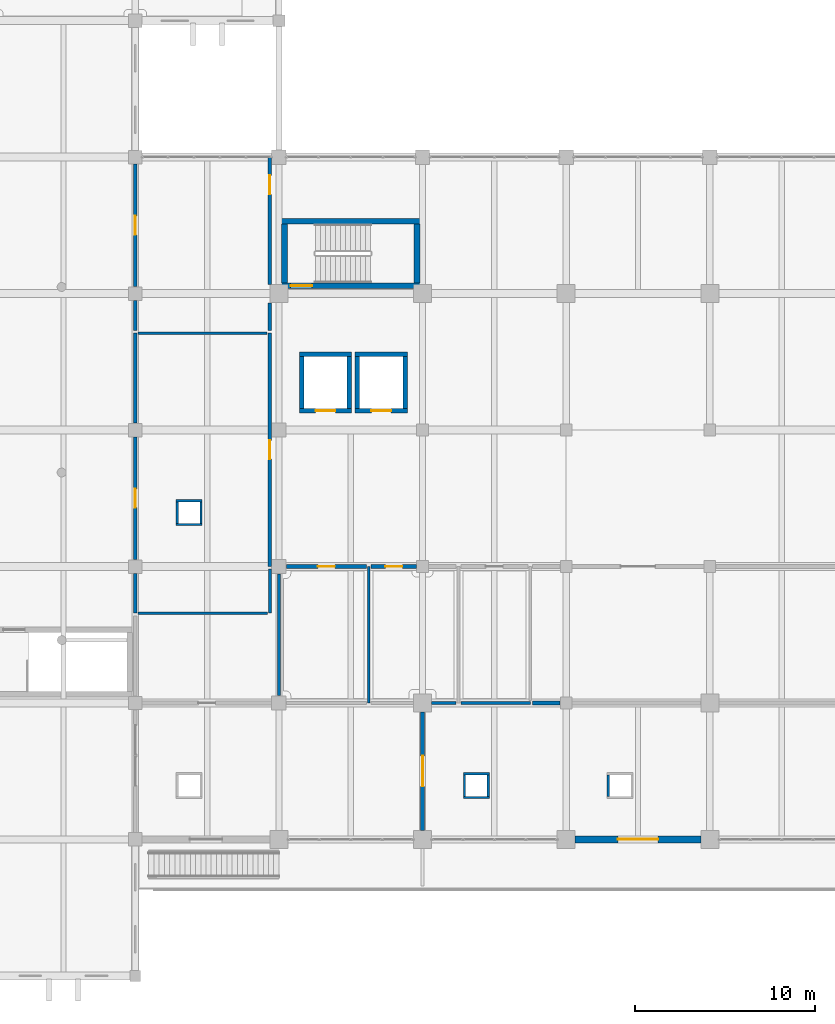
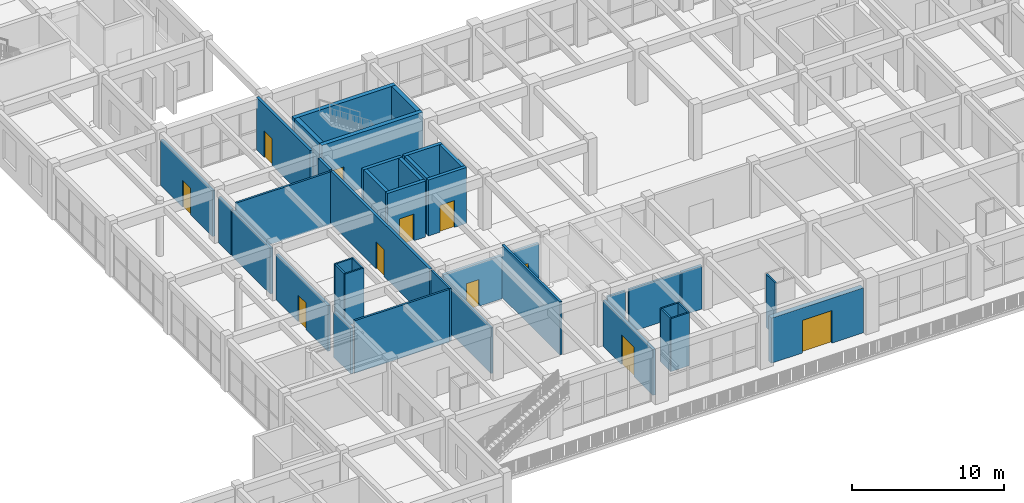
# One storey, part 54 of 79: 41 walls, 11 doors, 11 openings.
"""IFC4 building model written with IfcOpenShell, lengths in metres."""

from ifc_helpers import new_model, si_unit, direction, frame, frame_2d, origin, place, context, subcontext, project, spatial, rectangle, extrude, material, layer, layer_set, type_object, element, fill, save


model = new_model("IFC4")

# Units and contexts
model_context = context("Model", 3, precision=1e-05, world=origin(), true_north=direction((0.0, 1.0)))
body_context = subcontext(model_context, "Body", "Model", "MODEL_VIEW")
ifc_project = project(units=[si_unit("LENGTHUNIT", "METRE"), si_unit("AREAUNIT", "SQUARE_METRE"), si_unit("VOLUMEUNIT", "CUBIC_METRE"), si_unit("PLANEANGLEUNIT", "RADIAN"), si_unit("MASSUNIT", "GRAM", prefix="KILO")], contexts=[model_context])

# Site, building, storey
site_placement = place(None, origin())
site = spatial("IfcSite", under=ifc_project, at=site_placement, CompositionType="ELEMENT")
building_placement = place(site_placement, origin())
building = spatial("IfcBuilding", under=site, at=building_placement, Name="Zantavel Square City Hall", CompositionType="ELEMENT")
storey_placement = place(building_placement, frame((0.0, 0.0, 10.199951171875)))
storey = spatial("IfcBuildingStorey", under=building, at=storey_placement, Name="L03", CompositionType="ELEMENT", Elevation=10.199951171875)

# Wall, opening, door
ifc_material_1 = material(Name="Concrete C40/50", Category="concrete")
ifc_layer_1 = layer(ifc_material_1, 0.320068359375, Name="Concrete C40/50")
ifc_layer_set_1 = layer_set([ifc_layer_1], Name="Concrete C40/50")
wall_type_1 = type_object("IfcWallType", Name="Core Shear Wall RC 320mm C40/50", PredefinedType="SHEAR", material=ifc_layer_set_1)
wall_1_placement = place(storey_placement, frame((71.85009765625, 61.239990234375, 0.0), z_axis=(0.0, 0.0, 1.0), x_axis=(-1.0, 0.0, 0.0)))
wall_1 = element("IfcWall", 1, at=wall_1_placement, inside=storey, type_object=wall_type_1, Name="L03 Exit Stair 5 Central West Core Shear Wall South", PredefinedType="SHEAR", context=body_context, shape_type="SweptSolid", body=[
    extrude(rectangle(XDim=7.7001953125, YDim=0.320068359375, at=frame_2d((3.85009765625, 0.0))), origin(), (0.0, 0.0, 1.0), 4.5),
])
opening_1_placement = place(wall_1_placement, frame((6.0, 0.0, 0.0)))
opening_1 = element("IfcOpeningElement", 2, at=opening_1_placement, cuts=wall_1, Name="Opening SD-022", PredefinedType="OPENING", context=body_context, shape_type="SweptSolid", body=[
    extrude(rectangle(XDim=1.199951171875, YDim=2.199951171875, at=frame_2d((0.60009765625, 1.10009765625))), frame((0.0, 0.169921875, 0.0), z_axis=(0.0, -1.0, 0.0), x_axis=(1.0, 0.0, 0.0)), (0.0, 0.0, 1.0), 0.340087890625),
])
ifc_material_2 = material(Name="Steel ASTM A500 Grade B", Category="steel")
door_type_1 = type_object("IfcDoorType", Name="Enclosed Exit Stairwell Fire Door 1200x2200 FD90S", OperationType="NOTDEFINED", PredefinedType="DOOR", material=ifc_material_2)
door_1_placement = place(opening_1_placement, origin())
door_1 = element("IfcDoor", 3, at=door_1_placement, inside=storey, type_object=door_type_1, Name="L03 Exit Stair 5 Central West Core Fire Door", OperationType="SINGLE_SWING_RIGHT", OverallHeight=2.199951171875, OverallWidth=1.199951171875, PredefinedType="DOOR", context=body_context, shape_type="SweptSolid", body=[
    extrude(rectangle(XDim=1.199951171875, YDim=2.199951171875, at=frame_2d((0.60009765625, 1.10009765625))), frame((0.0, 0.02490234375, 0.0), z_axis=(0.0, -1.0, 0.0), x_axis=(1.0, 0.0, 0.0)), (0.0, 0.0, 1.0), 0.050048828125),
])
fill(opening_1, door_1)

# Walls
wall_2_placement = place(storey_placement, frame((64.31005859375, 61.39990234375, 0.0), z_axis=(0.0, 0.0, 1.0), x_axis=(0.0, 1.0, 0.0)))
element("IfcWall", 4, at=wall_2_placement, inside=storey, type_object=wall_type_1, Name="L03 Exit Stair 5 Central West Core Shear Wall West", PredefinedType="SHEAR", context=body_context, shape_type="SweptSolid", body=[
    extrude(rectangle(XDim=3.27001953125, YDim=0.320068359375, at=frame_2d((1.635009765625, 0.0))), origin(), (0.0, 0.0, 1.0), 4.5),
])
wall_3_placement = place(storey_placement, frame((64.14990234375, 64.830078125, 0.0), z_axis=(0.0, 0.0, 1.0), x_axis=(1.0, 0.0, 0.0)))
element("IfcWall", 5, at=wall_3_placement, inside=storey, type_object=wall_type_1, Name="L03 Exit Stair 5 Central West Core Shear Wall North", PredefinedType="SHEAR", context=body_context, shape_type="SweptSolid", body=[
    extrude(rectangle(XDim=7.7001953125, YDim=0.320068359375, at=frame_2d((3.85009765625, 0.0))), origin(), (0.0, 0.0, 1.0), 4.5),
])
wall_4_placement = place(storey_placement, frame((71.68994140625, 64.669921875, 0.0), z_axis=(0.0, 0.0, 1.0), x_axis=(0.0, -1.0, 0.0)))
element("IfcWall", 6, at=wall_4_placement, inside=storey, type_object=wall_type_1, Name="L03 Exit Stair 5 Central West Core Shear Wall East", PredefinedType="SHEAR", context=body_context, shape_type="SweptSolid", body=[
    extrude(rectangle(XDim=3.27001953125, YDim=0.320068359375, at=frame_2d((1.635009765625, 0.0))), origin(), (0.0, 0.0, 1.0), 4.5),
])
ifc_material_3 = material(Name="Gypsum acoustic stud assembly", Category="masonry")
ifc_layer_2 = layer(ifc_material_3, 0.14990234375, Name="Gypsum acoustic stud assembly")
ifc_layer_set_2 = layer_set([ifc_layer_2], Name="Gypsum acoustic stud assembly")
wall_type_2 = type_object("IfcWallType", Name="Department Office Partition 150mm", PredefinedType="PARTITIONING", material=ifc_layer_set_2)
wall_5_placement = place(storey_placement, frame((56.14990234375, 58.60009765625, 0.0), z_axis=(0.0, 0.0, 1.0), x_axis=(1.0, 0.0, 0.0)))
element("IfcWall", 7, at=wall_5_placement, inside=storey, type_object=wall_type_2, Name="L03 Interior Wall IW-L03-0273", PredefinedType="PARTITIONING", context=body_context, shape_type="SweptSolid", body=[
    extrude(rectangle(XDim=7.2001953125, YDim=0.14990234375, at=frame_2d((3.60009765625, 0.0))), origin(), (0.0, 0.0, 1.0), 4.219970703125),
])
wall_6_placement = place(storey_placement, frame((63.5, 45.449951171875, 0.0), z_axis=(0.0, 0.0, 1.0), x_axis=(0.0, -1.0, 0.0)))
element("IfcWall", 8, at=wall_6_placement, inside=storey, type_object=wall_type_2, Name="L03 Interior Wall IW-L03-0274", PredefinedType="PARTITIONING", context=body_context, shape_type="SweptSolid", body=[
    extrude(rectangle(XDim=2.449951171875, YDim=0.14990234375, at=frame_2d((1.22509765625, 0.0))), origin(), (0.0, 0.0, 1.0), 4.219970703125),
])
wall_7_placement = place(storey_placement, frame((63.375, 43.0, 0.0), z_axis=(0.0, 0.0, 1.0), x_axis=(-1.0, 0.0, 0.0)))
element("IfcWall", 9, at=wall_7_placement, inside=storey, type_object=wall_type_2, Name="L03 Interior Wall IW-L03-0275", PredefinedType="PARTITIONING", context=body_context, shape_type="SweptSolid", body=[
    extrude(rectangle(XDim=7.22509765625, YDim=0.14990234375, at=frame_2d((3.612548828125, 0.0))), origin(), (0.0, 0.0, 1.0), 4.219970703125),
])

# Wall, opening, door
ifc_material_4 = material(Name="Cantera volcanic tuff stone", Category="masonry")
ifc_layer_3 = layer(ifc_material_4, 0.219970703125, Name="Cantera volcanic tuff stone")
ifc_layer_set_3 = layer_set([ifc_layer_3], Name="Cantera volcanic tuff stone")
wall_type_3 = type_object("IfcWallType", Name="Executive Acoustic Stone Partition 220mm", PredefinedType="PARTITIONING", material=ifc_layer_set_3)
wall_8_placement = place(storey_placement, frame((72.0, 30.909912109375, 0.0), z_axis=(0.0, 0.0, 1.0), x_axis=(0.0, 1.0, 0.0)))
wall_8 = element("IfcWall", 10, at=wall_8_placement, inside=storey, type_object=wall_type_3, Name="L03 Interior Wall IW-L03-0252", PredefinedType="PARTITIONING", context=body_context, shape_type="SweptSolid", body=[
    extrude(rectangle(XDim=6.580078125, YDim=0.219970703125, at=frame_2d((3.2900390625, 0.0))), origin(), (0.0, 0.0, 1.0), 3.670166015625),
])
opening_2_placement = place(wall_8_placement, frame((2.43994140625, 0.0, 0.0)))
opening_2 = element("IfcOpeningElement", 11, at=opening_2_placement, cuts=wall_8, Name="Opening D-0133", PredefinedType="OPENING", context=body_context, shape_type="SweptSolid", body=[
    extrude(rectangle(XDim=1.699951171875, YDim=2.39990234375, at=frame_2d((0.85009765625, 1.199951171875))), frame((0.0, 0.119873046875, 0.0), z_axis=(0.0, -1.0, 0.0), x_axis=(1.0, 0.0, 0.0)), (0.0, 0.0, 1.0), 0.239990234375),
])
ifc_material_5 = material(Name="Solid oak hardwood", Category="wood")
door_type_2 = type_object("IfcDoorType", Name="Executive Salon Oak Double Door 1700x2400", OperationType="NOTDEFINED", PredefinedType="DOOR", material=ifc_material_5)
door_2_placement = place(opening_2_placement, origin())
door_2 = element("IfcDoor", 12, at=door_2_placement, inside=storey, type_object=door_type_2, Name="L03 First Syndic Suite Door", OperationType="DOUBLE_DOOR_SINGLE_SWING", OverallHeight=2.39990234375, OverallWidth=1.699951171875, PredefinedType="DOOR", context=body_context, shape_type="SweptSolid", body=[
    extrude(rectangle(XDim=1.699951171875, YDim=2.39990234375, at=frame_2d((0.85009765625, 1.199951171875))), frame((0.0, 0.02490234375, 0.0), z_axis=(0.0, -1.0, 0.0), x_axis=(1.0, 0.0, 0.0)), (0.0, 0.0, 1.0), 0.050048828125),
])
fill(opening_2, door_2)

# Wall
wall_9_placement = place(storey_placement, frame((78.1298828125, 38.0, 0.0), z_axis=(0.0, 0.0, 1.0), x_axis=(1.0, 0.0, 0.0)))
element("IfcWall", 13, at=wall_9_placement, inside=storey, type_object=wall_type_3, Name="L03 Interior Wall IW-L03-0254", PredefinedType="PARTITIONING", context=body_context, shape_type="SweptSolid", body=[
    extrude(rectangle(XDim=1.53515625, YDim=0.219970703125, at=frame_2d((0.767578125, 0.0))), origin(), (0.0, 0.0, 1.0), 3.469970703125),
])

# Wall, opening, door
ifc_layer_4 = layer(ifc_material_4, 0.199951171875, Name="Cantera volcanic tuff stone")
ifc_layer_set_4 = layer_set([ifc_layer_4], Name="Cantera volcanic tuff stone")
wall_type_4 = type_object("IfcWallType", Name="Exit Corridor Rated Wall 200mm", PredefinedType="STANDARD", material=ifc_layer_set_4)
wall_10_placement = place(storey_placement, frame((64.409912109375, 45.60009765625, 0.0), z_axis=(0.0, 0.0, 1.0), x_axis=(1.0, 0.0, 0.0)))
wall_10 = element("IfcWall", 14, at=wall_10_placement, inside=storey, type_object=wall_type_4, Name="L03 Interior Wall IW-L03-0242", PredefinedType="STANDARD", context=body_context, shape_type="SweptSolid", body=[
    extrude(rectangle(XDim=4.460205078125, YDim=0.199951171875, at=frame_2d((2.22998046875, 0.0))), origin(), (0.0, 0.0, 1.0), 3.469970703125),
])
opening_3_placement = place(wall_10_placement, frame((1.7548828125, 0.0, 0.0)))
opening_3 = element("IfcOpeningElement", 15, at=opening_3_placement, cuts=wall_10, Name="Opening D-0116", PredefinedType="OPENING", context=body_context, shape_type="SweptSolid", body=[
    extrude(rectangle(XDim=0.949951171875, YDim=2.14990234375, at=frame_2d((0.47509765625, 1.074951171875))), frame((0.0, 0.10986328125, 0.0), z_axis=(0.0, -1.0, 0.0), x_axis=(1.0, 0.0, 0.0)), (0.0, 0.0, 1.0), 0.219970703125),
])
door_type_3 = type_object("IfcDoorType", Name="Corridor Restroom Oak Fire Door 950x2150 FD60S", OperationType="NOTDEFINED", PredefinedType="DOOR", material=ifc_material_5)
door_3_placement = place(opening_3_placement, origin())
door_3 = element("IfcDoor", 16, at=door_3_placement, inside=storey, type_object=door_type_3, Name="L03 L03 Mens Restroom Door", OperationType="SINGLE_SWING_RIGHT", OverallHeight=2.14990234375, OverallWidth=0.949951171875, PredefinedType="DOOR", context=body_context, shape_type="SweptSolid", body=[
    extrude(rectangle(XDim=0.949951171875, YDim=2.14990234375, at=frame_2d((0.47509765625, 1.074951171875))), frame((0.0, 0.02490234375, 0.0), z_axis=(0.0, -1.0, 0.0), x_axis=(1.0, 0.0, 0.0)), (0.0, 0.0, 1.0), 0.050048828125),
])
fill(opening_3, door_3)

wall_11_placement = place(storey_placement, frame((69.1298828125, 45.60009765625, 0.0), z_axis=(0.0, 0.0, 1.0), x_axis=(1.0, 0.0, 0.0)))
wall_11 = element("IfcWall", 17, at=wall_11_placement, inside=storey, type_object=wall_type_4, Name="L03 Interior Wall IW-L03-0247", PredefinedType="STANDARD", context=body_context, shape_type="SweptSolid", body=[
    extrude(rectangle(XDim=2.53515625, YDim=0.199951171875, at=frame_2d((1.267578125, 0.0))), origin(), (0.0, 0.0, 1.0), 3.469970703125),
])
opening_4_placement = place(wall_11_placement, frame((0.79248046875, 0.0, 0.0)))
opening_4 = element("IfcOpeningElement", 18, at=opening_4_placement, cuts=wall_11, Name="Opening D-0117", PredefinedType="OPENING", context=body_context, shape_type="SweptSolid", body=[
    extrude(rectangle(XDim=0.949951171875, YDim=2.14990234375, at=frame_2d((0.47509765625, 1.074951171875))), frame((0.0, 0.10986328125, 0.0), z_axis=(0.0, -1.0, 0.0), x_axis=(1.0, 0.0, 0.0)), (0.0, 0.0, 1.0), 0.219970703125),
])
door_4_placement = place(opening_4_placement, origin())
door_4 = element("IfcDoor", 19, at=door_4_placement, inside=storey, type_object=door_type_3, Name="L03 L03 Womens Restroom Door", OperationType="SINGLE_SWING_LEFT", OverallHeight=2.14990234375, OverallWidth=0.949951171875, PredefinedType="DOOR", context=body_context, shape_type="SweptSolid", body=[
    extrude(rectangle(XDim=0.949951171875, YDim=2.14990234375, at=frame_2d((0.47509765625, 1.074951171875))), frame((0.0, 0.02490234375, 0.0), z_axis=(0.0, -1.0, 0.0), x_axis=(1.0, 0.0, 0.0)), (0.0, 0.0, 1.0), 0.050048828125),
])
fill(opening_4, door_4)

# Wall
wall_12_placement = place(storey_placement, frame((56.0, 43.0, 0.0), z_axis=(0.0, 0.0, 1.0), x_axis=(0.0, 1.0, 0.0)))
element("IfcWall", 20, at=wall_12_placement, inside=storey, type_object=wall_type_4, Name="L03 Interior Wall IW-L03-0269", PredefinedType="STANDARD", context=body_context, shape_type="SweptSolid", body=[
    extrude(rectangle(XDim=2.215087890625, YDim=0.199951171875, at=frame_2d((1.107421875, 0.0))), origin(), (0.0, 0.0, 1.0), 3.670166015625),
])

# Wall, opening, door
wall_13_placement = place(storey_placement, frame((56.0, 45.985107421875, 0.0), z_axis=(0.0, 0.0, 1.0), x_axis=(0.0, 1.0, 0.0)))
wall_13 = element("IfcWall", 21, at=wall_13_placement, inside=storey, type_object=wall_type_4, Name="L03 Interior Wall IW-L03-0270", PredefinedType="STANDARD", context=body_context, shape_type="SweptSolid", body=[
    extrude(rectangle(XDim=6.829833984375, YDim=0.199951171875, at=frame_2d((3.4150390625, 0.0))), origin(), (0.0, 0.0, 1.0), 3.670166015625),
])
opening_5_placement = place(wall_13_placement, frame((2.889892578125, 0.0, 0.0)))
opening_5 = element("IfcOpeningElement", 22, at=opening_5_placement, cuts=wall_13, Name="Opening D-0124", PredefinedType="OPENING", context=body_context, shape_type="SweptSolid", body=[
    extrude(rectangle(XDim=1.050048828125, YDim=2.14990234375, at=frame_2d((0.52490234375, 1.074951171875))), frame((0.0, 0.10986328125, 0.0), z_axis=(0.0, -1.0, 0.0), x_axis=(1.0, 0.0, 0.0)), (0.0, 0.0, 1.0), 0.219970703125),
])
door_type_4 = type_object("IfcDoorType", Name="Corridor Office Oak Fire Door 1050x2150 FD60S", OperationType="NOTDEFINED", PredefinedType="DOOR", material=ifc_material_5)
door_5_placement = place(opening_5_placement, origin())
door_5 = element("IfcDoor", 23, at=door_5_placement, inside=storey, type_object=door_type_4, Name="L03 Councilors Suite West Door", OperationType="SINGLE_SWING_RIGHT", OverallHeight=2.14990234375, OverallWidth=1.050048828125, PredefinedType="DOOR", context=body_context, shape_type="SweptSolid", body=[
    extrude(rectangle(XDim=1.050048828125, YDim=2.14990234375, at=frame_2d((0.52490234375, 1.074951171875))), frame((0.0, 0.02490234375, 0.0), z_axis=(0.0, -1.0, 0.0), x_axis=(1.0, 0.0, 0.0)), (0.0, 0.0, 1.0), 0.050048828125),
])
fill(opening_5, door_5)

# Wall
wall_14_placement = place(storey_placement, frame((56.0, 53.5849609375, 0.0), z_axis=(0.0, 0.0, 1.0), x_axis=(0.0, 1.0, 0.0)))
element("IfcWall", 24, at=wall_14_placement, inside=storey, type_object=wall_type_4, Name="L03 Interior Wall IW-L03-0271", PredefinedType="STANDARD", context=body_context, shape_type="SweptSolid", body=[
    extrude(rectangle(XDim=5.01513671875, YDim=0.199951171875, at=frame_2d((2.507568359375, 0.0))), origin(), (0.0, 0.0, 1.0), 3.670166015625),
])

# Wall, opening, door
wall_15_placement = place(storey_placement, frame((63.5, 58.60009765625, 0.0), z_axis=(0.0, 0.0, 1.0), x_axis=(0.0, -1.0, 0.0)))
wall_15 = element("IfcWall", 25, at=wall_15_placement, inside=storey, type_object=wall_type_4, Name="L03 Interior Wall IW-L03-0272", PredefinedType="STANDARD", context=body_context, shape_type="SweptSolid", body=[
    extrude(rectangle(XDim=13.0, YDim=0.199951171875, at=frame_2d((6.5, 0.0))), origin(), (0.0, 0.0, 1.0), 4.219970703125),
])
opening_6_placement = place(wall_15_placement, frame((5.97509765625, 0.0, 0.0)))
opening_6 = element("IfcOpeningElement", 26, at=opening_6_placement, cuts=wall_15, Name="Opening D-0125", PredefinedType="OPENING", context=body_context, shape_type="SweptSolid", body=[
    extrude(rectangle(XDim=1.050048828125, YDim=2.14990234375, at=frame_2d((0.52490234375, 1.074951171875))), frame((0.0, 0.10986328125, 0.0), z_axis=(0.0, -1.0, 0.0), x_axis=(1.0, 0.0, 0.0)), (0.0, 0.0, 1.0), 0.219970703125),
])
door_6_placement = place(opening_6_placement, origin())
door_6 = element("IfcDoor", 27, at=door_6_placement, inside=storey, type_object=door_type_4, Name="L03 Councilors Suite West Door", OperationType="SINGLE_SWING_LEFT", OverallHeight=2.14990234375, OverallWidth=1.050048828125, PredefinedType="DOOR", context=body_context, shape_type="SweptSolid", body=[
    extrude(rectangle(XDim=1.050048828125, YDim=2.14990234375, at=frame_2d((0.52490234375, 1.074951171875))), frame((0.0, 0.02490234375, 0.0), z_axis=(0.0, -1.0, 0.0), x_axis=(1.0, 0.0, 0.0)), (0.0, 0.0, 1.0), 0.050048828125),
])
fill(opening_6, door_6)

wall_16_placement = place(storey_placement, frame((56.0, 68.014892578125, 0.0), z_axis=(0.0, 0.0, 1.0), x_axis=(0.0, -1.0, 0.0)))
wall_16 = element("IfcWall", 28, at=wall_16_placement, inside=storey, type_object=wall_type_4, Name="L03 Interior Wall IW-L03-0293", PredefinedType="STANDARD", context=body_context, shape_type="SweptSolid", body=[
    extrude(rectangle(XDim=6.829833984375, YDim=0.199951171875, at=frame_2d((3.4150390625, 0.0))), origin(), (0.0, 0.0, 1.0), 3.670166015625),
])
opening_7_placement = place(wall_16_placement, frame((2.889892578125, 0.0, 0.0)))
opening_7 = element("IfcOpeningElement", 29, at=opening_7_placement, cuts=wall_16, Name="Opening D-0131", PredefinedType="OPENING", context=body_context, shape_type="SweptSolid", body=[
    extrude(rectangle(XDim=1.050048828125, YDim=2.14990234375, at=frame_2d((0.52490234375, 1.074951171875))), frame((0.0, 0.10986328125, 0.0), z_axis=(0.0, -1.0, 0.0), x_axis=(1.0, 0.0, 0.0)), (0.0, 0.0, 1.0), 0.219970703125),
])
door_7_placement = place(opening_7_placement, origin())
door_7 = element("IfcDoor", 30, at=door_7_placement, inside=storey, type_object=door_type_4, Name="L03 L03 Municipal Support Office 1 Door", OperationType="SINGLE_SWING_LEFT", OverallHeight=2.14990234375, OverallWidth=1.050048828125, PredefinedType="DOOR", context=body_context, shape_type="SweptSolid", body=[
    extrude(rectangle(XDim=1.050048828125, YDim=2.14990234375, at=frame_2d((0.52490234375, 1.074951171875))), frame((0.0, 0.02490234375, 0.0), z_axis=(0.0, -1.0, 0.0), x_axis=(1.0, 0.0, 0.0)), (0.0, 0.0, 1.0), 0.050048828125),
])
fill(opening_7, door_7)

# Walls
wall_17_placement = place(storey_placement, frame((56.0, 60.4150390625, 0.0), z_axis=(0.0, 0.0, 1.0), x_axis=(0.0, -1.0, 0.0)))
element("IfcWall", 31, at=wall_17_placement, inside=storey, type_object=wall_type_4, Name="L03 Interior Wall IW-L03-0294", PredefinedType="STANDARD", context=body_context, shape_type="SweptSolid", body=[
    extrude(rectangle(XDim=1.6650390625, YDim=0.199951171875, at=frame_2d((0.83251953125, 0.0))), origin(), (0.0, 0.0, 1.0), 3.670166015625),
])
wall_18_placement = place(storey_placement, frame((63.5, 58.75, 0.0), z_axis=(0.0, 0.0, 1.0), x_axis=(0.0, 1.0, 0.0)))
element("IfcWall", 32, at=wall_18_placement, inside=storey, type_object=wall_type_4, Name="L03 Interior Wall IW-L03-0296", PredefinedType="STANDARD", context=body_context, shape_type="SweptSolid", body=[
    extrude(rectangle(XDim=1.5400390625, YDim=0.199951171875, at=frame_2d((0.77001953125, 0.0))), origin(), (0.0, 0.0, 1.0), 4.219970703125),
])

# Wall, opening, door
wall_19_placement = place(storey_placement, frame((63.5, 61.31005859375, 0.0), z_axis=(0.0, 0.0, 1.0), x_axis=(0.0, 1.0, 0.0)))
wall_19 = element("IfcWall", 33, at=wall_19_placement, inside=storey, type_object=wall_type_4, Name="L03 Interior Wall IW-L03-0297", PredefinedType="STANDARD", context=body_context, shape_type="SweptSolid", body=[
    extrude(rectangle(XDim=7.08984375, YDim=0.199951171875, at=frame_2d((3.544921875, 0.0))), origin(), (0.0, 0.0, 1.0), 4.219970703125),
])
opening_8_placement = place(wall_19_placement, frame((5.02001953125, 0.0, 0.0)))
opening_8 = element("IfcOpeningElement", 34, at=opening_8_placement, cuts=wall_19, Name="Opening D-0132", PredefinedType="OPENING", context=body_context, shape_type="SweptSolid", body=[
    extrude(rectangle(XDim=1.050048828125, YDim=2.14990234375, at=frame_2d((0.52490234375, 1.074951171875))), frame((0.0, 0.10986328125, 0.0), z_axis=(0.0, -1.0, 0.0), x_axis=(1.0, 0.0, 0.0)), (0.0, 0.0, 1.0), 0.219970703125),
])
door_8_placement = place(opening_8_placement, origin())
door_8 = element("IfcDoor", 35, at=door_8_placement, inside=storey, type_object=door_type_4, Name="L03 L03 Municipal Support Office 1 Door", OperationType="SINGLE_SWING_RIGHT", OverallHeight=2.14990234375, OverallWidth=1.050048828125, PredefinedType="DOOR", context=body_context, shape_type="SweptSolid", body=[
    extrude(rectangle(XDim=1.050048828125, YDim=2.14990234375, at=frame_2d((0.52490234375, 1.074951171875))), frame((0.0, 0.02490234375, 0.0), z_axis=(0.0, -1.0, 0.0), x_axis=(1.0, 0.0, 0.0)), (0.0, 0.0, 1.0), 0.050048828125),
])
fill(opening_8, door_8)

ifc_layer_5 = layer(ifc_material_1, 0.25, Name="Concrete C40/50")
ifc_layer_set_5 = layer_set([ifc_layer_5], Name="Concrete C40/50")
wall_type_5 = type_object("IfcWallType", Name="Lift Shaft Wall RC 250mm C40/50", PredefinedType="SHEAR", material=ifc_layer_set_5)
wall_20_placement = place(storey_placement, frame((68.050048828125, 54.27490234375, 0.0), z_axis=(0.0, 0.0, 1.0), x_axis=(-1.0, 0.0, 0.0)))
wall_20 = element("IfcWall", 36, at=wall_20_placement, inside=storey, type_object=wall_type_5, Name="L03 Lift LF01 Shaft Wall South", PredefinedType="SHEAR", context=body_context, shape_type="SweptSolid", body=[
    extrude(rectangle(XDim=2.900146484375, YDim=0.25, at=frame_2d((1.4501953125, 0.0))), origin(), (0.0, 0.0, 1.0), 4.5),
])
opening_9_placement = place(wall_20_placement, frame((0.89990234375, 0.0, 0.0)))
opening_9 = element("IfcOpeningElement", 37, at=opening_9_placement, cuts=wall_20, Name="Opening LD-LF01-L03", PredefinedType="OPENING", context=body_context, shape_type="SweptSolid", body=[
    extrude(rectangle(XDim=1.10009765625, YDim=2.14990234375, at=frame_2d((0.550048828125, 1.074951171875))), frame((0.0, 0.135009765625, 0.0), z_axis=(0.0, -1.0, 0.0), x_axis=(1.0, 0.0, 0.0)), (0.0, 0.0, 1.0), 0.27001953125),
])
ifc_material_6 = material(Name="Stainless steel 316", Category="steel")
door_type_5 = type_object("IfcDoorType", Name="Lift Landing Sliding Door 1100x2150 FD90S", OperationType="NOTDEFINED", PredefinedType="DOOR", material=ifc_material_6)
door_9_placement = place(opening_9_placement, origin())
door_9 = element("IfcDoor", 38, at=door_9_placement, inside=storey, type_object=door_type_5, Name="L03 Lift LF01 Sliding Landing Door", OperationType="DOUBLE_DOOR_SLIDING", OverallHeight=2.14990234375, OverallWidth=1.10009765625, PredefinedType="DOOR", context=body_context, shape_type="SweptSolid", body=[
    extrude(rectangle(XDim=1.10009765625, YDim=2.14990234375, at=frame_2d((0.550048828125, 1.074951171875))), frame((0.0, 0.02490234375, 0.0), z_axis=(0.0, -1.0, 0.0), x_axis=(1.0, 0.0, 0.0)), (0.0, 0.0, 1.0), 0.050048828125),
])
fill(opening_9, door_9)

# Walls
for number, where, z_axis, x_axis, name in (
    (39, (65.27490234375, 54.39990234375, 0.0), (0.0, 0.0, 1.0), (0.0, 1.0, 0.0), "L03 Lift LF01 Shaft Wall West"),
    (40, (65.14990234375, 57.425048828125, 0.0), (0.0, 0.0, 1.0), (1.0, 0.0, 0.0), "L03 Lift LF01 Shaft Wall North"),
    (41, (67.925048828125, 57.300048828125, 0.0), (0.0, 0.0, 1.0), (0.0, -1.0, 0.0), "L03 Lift LF01 Shaft Wall East"),
):
    element("IfcWall", number, at=place(storey_placement, frame(where, z_axis=z_axis, x_axis=x_axis)), inside=storey, type_object=wall_type_5, Name=name, PredefinedType="SHEAR", context=body_context, shape_type="SweptSolid", body=[
        extrude(rectangle(XDim=2.900146484375, YDim=0.25, at=frame_2d((1.4501953125, 0.0))), origin(), (0.0, 0.0, 1.0), 4.5),
    ])

# Wall, opening, door
wall_21_placement = place(storey_placement, frame((71.14990234375, 54.27490234375, 0.0), z_axis=(0.0, 0.0, 1.0), x_axis=(-1.0, 0.0, 0.0)))
wall_21 = element("IfcWall", 42, at=wall_21_placement, inside=storey, type_object=wall_type_5, Name="L03 Lift LF02 Shaft Wall South", PredefinedType="SHEAR", context=body_context, shape_type="SweptSolid", body=[
    extrude(rectangle(XDim=2.89990234375, YDim=0.25, at=frame_2d((1.449951171875, 0.0))), origin(), (0.0, 0.0, 1.0), 4.5),
])
opening_10_placement = place(wall_21_placement, frame((0.89990234375, 0.0, 0.0)))
opening_10 = element("IfcOpeningElement", 43, at=opening_10_placement, cuts=wall_21, Name="Opening LD-LF02-L03", PredefinedType="OPENING", context=body_context, shape_type="SweptSolid", body=[
    extrude(rectangle(XDim=1.10009765625, YDim=2.14990234375, at=frame_2d((0.550048828125, 1.074951171875))), frame((0.0, 0.135009765625, 0.0), z_axis=(0.0, -1.0, 0.0), x_axis=(1.0, 0.0, 0.0)), (0.0, 0.0, 1.0), 0.27001953125),
])
door_10_placement = place(opening_10_placement, origin())
door_10 = element("IfcDoor", 44, at=door_10_placement, inside=storey, type_object=door_type_5, Name="L03 Lift LF02 Sliding Landing Door", OperationType="DOUBLE_DOOR_SLIDING", OverallHeight=2.14990234375, OverallWidth=1.10009765625, PredefinedType="DOOR", context=body_context, shape_type="SweptSolid", body=[
    extrude(rectangle(XDim=1.10009765625, YDim=2.14990234375, at=frame_2d((0.550048828125, 1.074951171875))), frame((0.0, 0.02490234375, 0.0), z_axis=(0.0, -1.0, 0.0), x_axis=(1.0, 0.0, 0.0)), (0.0, 0.0, 1.0), 0.050048828125),
])
fill(opening_10, door_10)

# Walls
wall_22_placement = place(storey_placement, frame((68.375, 54.39990234375, 0.0), z_axis=(0.0, 0.0, 1.0), x_axis=(0.0, 1.0, 0.0)))
element("IfcWall", 45, at=wall_22_placement, inside=storey, type_object=wall_type_5, Name="L03 Lift LF02 Shaft Wall West", PredefinedType="SHEAR", context=body_context, shape_type="SweptSolid", body=[
    extrude(rectangle(XDim=2.900146484375, YDim=0.25, at=frame_2d((1.4501953125, 0.0))), origin(), (0.0, 0.0, 1.0), 4.5),
])
wall_23_placement = place(storey_placement, frame((68.25, 57.425048828125, 0.0), z_axis=(0.0, 0.0, 1.0), x_axis=(1.0, 0.0, 0.0)))
element("IfcWall", 46, at=wall_23_placement, inside=storey, type_object=wall_type_5, Name="L03 Lift LF02 Shaft Wall North", PredefinedType="SHEAR", context=body_context, shape_type="SweptSolid", body=[
    extrude(rectangle(XDim=2.89990234375, YDim=0.25, at=frame_2d((1.449951171875, 0.0))), origin(), (0.0, 0.0, 1.0), 4.5),
])
wall_24_placement = place(storey_placement, frame((71.02490234375, 57.300048828125, 0.0), z_axis=(0.0, 0.0, 1.0), x_axis=(0.0, -1.0, 0.0)))
element("IfcWall", 47, at=wall_24_placement, inside=storey, type_object=wall_type_5, Name="L03 Lift LF02 Shaft Wall East", PredefinedType="SHEAR", context=body_context, shape_type="SweptSolid", body=[
    extrude(rectangle(XDim=2.900146484375, YDim=0.25, at=frame_2d((1.4501953125, 0.0))), origin(), (0.0, 0.0, 1.0), 4.5),
])
ifc_layer_6 = layer(ifc_material_4, 0.159912109375, Name="Cantera volcanic tuff stone")
ifc_layer_set_6 = layer_set([ifc_layer_6], Name="Cantera volcanic tuff stone")
wall_type_6 = type_object("IfcWallType", Name="Restroom Wet-Wall Partition 160mm", PredefinedType="PARTITIONING", material=ifc_layer_set_6)
wall_25_placement = place(storey_placement, frame((69.0, 45.60009765625, 0.0), z_axis=(0.0, 0.0, 1.0), x_axis=(0.0, -1.0, 0.0)))
element("IfcWall", 48, at=wall_25_placement, inside=storey, type_object=wall_type_6, Name="L03 Interior Wall IW-L03-0240", PredefinedType="PARTITIONING", context=body_context, shape_type="SweptSolid", body=[
    extrude(rectangle(XDim=7.60009765625, YDim=0.159912109375, at=frame_2d((3.800048828125, 0.0))), origin(), (0.0, 0.0, 1.0), 4.260009765625),
])
wall_26_placement = place(storey_placement, frame((64.0, 38.409912109375, 0.0), z_axis=(0.0, 0.0, 1.0), x_axis=(0.0, 1.0, 0.0)))
element("IfcWall", 49, at=wall_26_placement, inside=storey, type_object=wall_type_6, Name="L03 Interior Wall IW-L03-0243", PredefinedType="PARTITIONING", context=body_context, shape_type="SweptSolid", body=[
    extrude(rectangle(XDim=6.780029296875, YDim=0.159912109375, at=frame_2d((3.39013671875, 0.0))), origin(), (0.0, 0.0, 1.0), 3.670166015625),
])
wall_27_placement = place(storey_placement, frame((73.8701171875, 38.0, 0.0), z_axis=(0.0, 0.0, 1.0), x_axis=(-1.0, 0.0, 0.0)))
element("IfcWall", 50, at=wall_27_placement, inside=storey, type_object=wall_type_6, Name="L03 Interior Wall IW-L03-0245", PredefinedType="PARTITIONING", context=body_context, shape_type="SweptSolid", body=[
    extrude(rectangle(XDim=1.360107421875, YDim=0.159912109375, at=frame_2d((0.68017578125, 0.0))), origin(), (0.0, 0.0, 1.0), 3.469970703125),
])
wall_28_placement = place(storey_placement, frame((78.0, 38.0, 0.0), z_axis=(0.0, 0.0, 1.0), x_axis=(-1.0, 0.0, 0.0)))
element("IfcWall", 51, at=wall_28_placement, inside=storey, type_object=wall_type_6, Name="L03 Interior Wall IW-L03-0249", PredefinedType="PARTITIONING", context=body_context, shape_type="SweptSolid", body=[
    extrude(rectangle(XDim=3.8701171875, YDim=0.159912109375, at=frame_2d((1.93505859375, 0.0))), origin(), (0.0, 0.0, 1.0), 3.469970703125),
])
ifc_material_7 = material(Name="Concrete C35/45", Category="concrete")
ifc_layer_7 = layer(ifc_material_7, 0.1201171875, Name="Concrete C35/45")
ifc_layer_set_7 = layer_set([ifc_layer_7], Name="Concrete C35/45")
wall_type_7 = type_object("IfcWallType", Name="Riser Chase Wall RC 120mm C35/45", PredefinedType="PARTITIONING", material=ifc_layer_set_7)
wall_29_placement = place(storey_placement, frame((75.719970703125, 32.739990234375, 0.0), z_axis=(0.0, 0.0, 1.0), x_axis=(-1.0, 0.0, 0.0)))
element("IfcWall", 52, at=wall_29_placement, inside=storey, type_object=wall_type_7, Name="L03 MEP Riser 02 Wall S", PredefinedType="PARTITIONING", context=body_context, shape_type="SweptSolid", body=[
    extrude(rectangle(XDim=1.43994140625, YDim=0.1201171875, at=frame_2d((0.719970703125, 0.0))), origin(), (0.0, 0.0, 1.0), 4.260009765625),
])
wall_30_placement = place(storey_placement, frame((74.340087890625, 32.800048828125, 0.0), z_axis=(0.0, 0.0, 1.0), x_axis=(0.0, 1.0, 0.0)))
element("IfcWall", 53, at=wall_30_placement, inside=storey, type_object=wall_type_7, Name="L03 MEP Riser 02 Wall W", PredefinedType="PARTITIONING", context=body_context, shape_type="SweptSolid", body=[
    extrude(rectangle(XDim=1.199951171875, YDim=0.1201171875, at=frame_2d((0.60009765625, 0.0))), origin(), (0.0, 0.0, 1.0), 4.260009765625),
])
wall_31_placement = place(storey_placement, frame((74.280029296875, 34.06005859375, 0.0), z_axis=(0.0, 0.0, 1.0), x_axis=(1.0, 0.0, 0.0)))
element("IfcWall", 54, at=wall_31_placement, inside=storey, type_object=wall_type_7, Name="L03 MEP Riser 02 Wall N", PredefinedType="PARTITIONING", context=body_context, shape_type="SweptSolid", body=[
    extrude(rectangle(XDim=1.43994140625, YDim=0.1201171875, at=frame_2d((0.719970703125, 0.0))), origin(), (0.0, 0.0, 1.0), 4.260009765625),
])
for number, where, z_axis, x_axis, name in (
    (55, (75.659912109375, 34.0, 0.0), (0.0, 0.0, 1.0), (0.0, -1.0, 0.0), "L03 MEP Riser 02 Wall E"),
    (56, (82.340087890625, 32.800048828125, 0.0), (0.0, 0.0, 1.0), (0.0, 1.0, 0.0), "L03 MEP Riser 03 Wall W"),
):
    element("IfcWall", number, at=place(storey_placement, frame(where, z_axis=z_axis, x_axis=x_axis)), inside=storey, type_object=wall_type_7, Name=name, PredefinedType="PARTITIONING", context=body_context, shape_type="SweptSolid", body=[
        extrude(rectangle(XDim=1.199951171875, YDim=0.1201171875, at=frame_2d((0.60009765625, 0.0))), origin(), (0.0, 0.0, 1.0), 4.260009765625),
    ])
wall_32_placement = place(storey_placement, frame((59.719970703125, 47.93994140625, 0.0), z_axis=(0.0, 0.0, 1.0), x_axis=(-1.0, 0.0, 0.0)))
element("IfcWall", 57, at=wall_32_placement, inside=storey, type_object=wall_type_7, Name="L03 MEP Riser 05 Wall S", PredefinedType="PARTITIONING", context=body_context, shape_type="SweptSolid", body=[
    extrude(rectangle(XDim=1.43994140625, YDim=0.1201171875, at=frame_2d((0.719970703125, 0.0))), origin(), (0.0, 0.0, 1.0), 4.219970703125),
])
wall_33_placement = place(storey_placement, frame((58.340087890625, 48.0, 0.0), z_axis=(0.0, 0.0, 1.0), x_axis=(0.0, 1.0, 0.0)))
element("IfcWall", 58, at=wall_33_placement, inside=storey, type_object=wall_type_7, Name="L03 MEP Riser 05 Wall W", PredefinedType="PARTITIONING", context=body_context, shape_type="SweptSolid", body=[
    extrude(rectangle(XDim=1.199951171875, YDim=0.1201171875, at=frame_2d((0.60009765625, 0.0))), origin(), (0.0, 0.0, 1.0), 4.219970703125),
])
wall_34_placement = place(storey_placement, frame((58.280029296875, 49.260009765625, 0.0), z_axis=(0.0, 0.0, 1.0), x_axis=(1.0, 0.0, 0.0)))
element("IfcWall", 59, at=wall_34_placement, inside=storey, type_object=wall_type_7, Name="L03 MEP Riser 05 Wall N", PredefinedType="PARTITIONING", context=body_context, shape_type="SweptSolid", body=[
    extrude(rectangle(XDim=1.43994140625, YDim=0.1201171875, at=frame_2d((0.719970703125, 0.0))), origin(), (0.0, 0.0, 1.0), 4.219970703125),
])
wall_35_placement = place(storey_placement, frame((59.659912109375, 49.199951171875, 0.0), z_axis=(0.0, 0.0, 1.0), x_axis=(0.0, -1.0, 0.0)))
element("IfcWall", 60, at=wall_35_placement, inside=storey, type_object=wall_type_7, Name="L03 MEP Riser 05 Wall E", PredefinedType="PARTITIONING", context=body_context, shape_type="SweptSolid", body=[
    extrude(rectangle(XDim=1.199951171875, YDim=0.1201171875, at=frame_2d((0.60009765625, 0.0))), origin(), (0.0, 0.0, 1.0), 4.219970703125),
])

# Wall, opening, door
ifc_material_8 = material(Name="White cantera volcanic tuff stone", Category="masonry")
ifc_layer_8 = layer(ifc_material_8, 0.3798828125, Name="White cantera volcanic tuff stone")
ifc_layer_set_8 = layer_set([ifc_layer_8], Name="White cantera volcanic tuff stone")
wall_type_8 = type_object("IfcWallType", Name="White Cantera Tray Facade Wall 380mm", PredefinedType="STANDARD", material=ifc_layer_set_8)
wall_36_placement = place(storey_placement, frame((87.5, 30.39990234375, 0.0), z_axis=(0.0, 0.0, 1.0), x_axis=(-1.0, 0.0, 0.0)))
wall_36 = element("IfcWall", 61, at=wall_36_placement, inside=storey, type_object=wall_type_8, Name="L03 Exterior Wall EW-L03-038", PredefinedType="STANDARD", context=body_context, shape_type="SweptSolid", body=[
    extrude(rectangle(XDim=7.0, YDim=0.3798828125, at=frame_2d((3.5, 0.0))), origin(), (0.0, 0.0, 1.0), 3.6201171875),
])
opening_11_placement = place(wall_36_placement, frame((2.3798828125, 0.0, 0.0)))
opening_11 = element("IfcOpeningElement", 62, at=opening_11_placement, cuts=wall_36, Name="Opening ED-024", PredefinedType="OPENING", context=body_context, shape_type="SweptSolid", body=[
    extrude(rectangle(XDim=2.239990234375, YDim=2.6201171875, at=frame_2d((1.1201171875, 1.31005859375))), frame((0.0, 0.199951171875, 0.0), z_axis=(0.0, -1.0, 0.0), x_axis=(1.0, 0.0, 0.0)), (0.0, 0.0, 1.0), 0.39990234375),
])
ifc_material_9 = material(Name="Anodised aluminium 6063-T6", Category="aluminium")
door_type_6 = type_object("IfcDoorType", Name="Presidential Balcony Glazed Double Door 2240x2620", OperationType="NOTDEFINED", PredefinedType="DOOR", material=ifc_material_9)
door_11_placement = place(opening_11_placement, origin())
door_11 = element("IfcDoor", 63, at=door_11_placement, inside=storey, type_object=door_type_6, Name="Mayoral Presidential Balcony Door", OperationType="DOUBLE_DOOR_SINGLE_SWING", OverallHeight=2.6201171875, OverallWidth=2.239990234375, PredefinedType="DOOR", context=body_context, shape_type="SweptSolid", body=[
    extrude(rectangle(XDim=2.239990234375, YDim=2.6201171875, at=frame_2d((1.1201171875, 1.31005859375))), frame((0.0, 0.02490234375, 0.0), z_axis=(0.0, -1.0, 0.0), x_axis=(1.0, 0.0, 0.0)), (0.0, 0.0, 1.0), 0.050048828125),
])
fill(opening_11, door_11)

save(model, "model.ifc")
